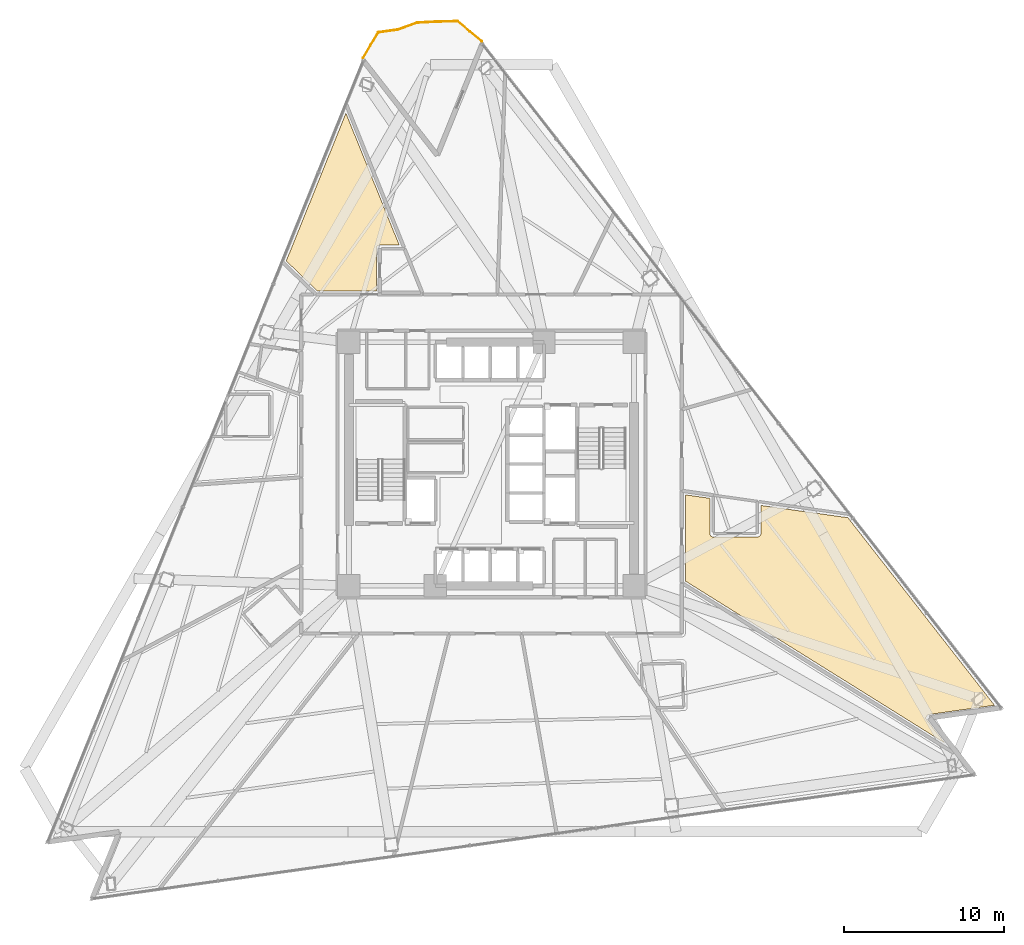
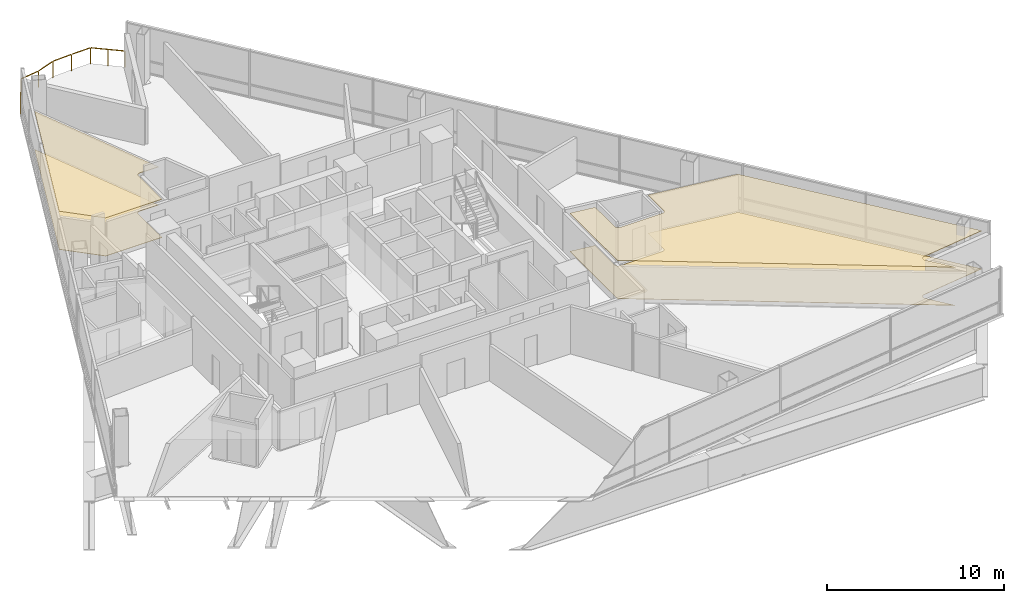
# One storey, part 15 of 15: 4 coverings, 1 railing.
"""IFC4 building model written with IfcOpenShell, lengths in metres."""

from ifc_helpers import new_model, si_unit, direction, frame, origin, origin_2d, place, context, subcontext, project, spatial, polyline, rectangle, outline, extrude, material, layer, layer_set, type_object, element, save


model = new_model("IFC4")

# Units and contexts
model_context = context("Model", 3, precision=1e-05, world=origin(), true_north=direction((0.0, 1.0)))
body_context = subcontext(model_context, "Body", "Model", "MODEL_VIEW")
ifc_project = project(units=[si_unit("LENGTHUNIT", "METRE"), si_unit("AREAUNIT", "SQUARE_METRE"), si_unit("VOLUMEUNIT", "CUBIC_METRE"), si_unit("PLANEANGLEUNIT", "RADIAN"), si_unit("MASSUNIT", "GRAM", prefix="KILO")], contexts=[model_context])

# Site, building, storey
site_placement = place(None, origin())
site = spatial("IfcSite", under=ifc_project, at=site_placement, CompositionType="ELEMENT")
building_placement = place(site_placement, origin())
building = spatial("IfcBuilding", under=site, at=building_placement, Name="Tharavind Bronze Gate", CompositionType="ELEMENT")
storey_placement = place(building_placement, frame((0.0, 0.0, 57.0)))
storey = spatial("IfcBuildingStorey", under=building, at=storey_placement, Name="L13", CompositionType="ELEMENT", Elevation=57.0)

# Coverings
ifc_material_1 = material(Name="Engineered Oak & Carpet Tile", Category="wood")
ifc_layer_1 = layer(ifc_material_1, 0.02490234375)
ifc_layer_set_1 = layer_set([ifc_layer_1], Name="Engineered Oak & Carpet Tile")
covering_type_1 = type_object("IfcCoveringType", Name="ENGINEERED TIMBER FLOORING", PredefinedType="FLOORING", material=ifc_layer_set_1)
covering_1_placement = place(storey_placement, origin())
element("IfcCovering", 1, at=covering_1_placement, inside=storey, type_object=covering_type_1, Name="L13-RM-05 floor finish", PredefinedType="FLOORING", context=body_context, shape_type="SweptSolid", body=[
    extrude(outline(polyline([(-10.866943359375, 10.800048828125), (-7.193115234375, 10.800048828125), (-7.193115234375, 13.449951171875), (-7.19189453125, 13.4716796875), (-7.18896484375, 13.492919921875), (-7.18359375, 13.513916015625), (-7.17626953125, 13.5341796875), (-7.1669921875, 13.5537109375), (-7.156005859375, 13.572265625), (-7.14306640625, 13.589599609375), (-7.128662109375, 13.605712890625), (-7.112548828125, 13.6201171875), (-7.09521484375, 13.6328125), (-7.076904296875, 13.64404296875), (-7.057373046875, 13.6533203125), (-7.036865234375, 13.660400390625), (-7.01611328125, 13.665771484375), (-6.99462890625, 13.6689453125), (-6.97314453125, 13.669921875), (-5.76025390625, 13.669921875), (-9.087646484375, 21.905517578125), (-12.814697265625, 12.680908203125), (-10.866943359375, 10.800048828125)])), origin(), (0.0, 0.0, 1.0), 0.02490234375),
])
covering_2_placement = place(storey_placement, origin())
element("IfcCovering", 2, at=covering_2_placement, inside=storey, type_object=covering_type_1, Name="L13-RM-14 floor finish", PredefinedType="FLOORING", context=body_context, shape_type="SweptSolid", body=[
    extrude(outline(polyline([(12.10009765625, -7.301513671875), (28.311279296875, -17.431396484375), (27.184326171875, -15.989013671875), (27.177734375, -15.980224609375), (27.177490234375, -15.979736328125), (27.165771484375, -15.961181640625), (27.156005859375, -15.941650390625), (27.148193359375, -15.921142578125), (27.142333984375, -15.89990234375), (27.138916015625, -15.87841796875), (27.137451171875, -15.8564453125), (27.13818359375, -15.83447265625), (27.14111328125, -15.812744140625), (27.146240234375, -15.79150390625), (27.1533203125, -15.770751953125), (27.16259765625, -15.750732421875), (27.173583984375, -15.73193359375), (27.186767578125, -15.714111328125), (27.201416015625, -15.697998046875), (27.217529296875, -15.68310546875), (27.235107421875, -15.670166015625), (27.254150390625, -15.658935546875), (27.27392578125, -15.649658203125), (27.294677734375, -15.642333984375), (27.31591796875, -15.63720703125), (27.31640625, -15.636962890625), (27.327392578125, -15.63525390625), (31.405517578125, -15.06201171875), (22.255126953125, -3.349853515625), (16.820068359375, -2.586181640625), (16.820068359375, -4.33642578125), (16.81884765625, -4.358154296875), (16.81591796875, -4.37939453125), (16.810546875, -4.400390625), (16.80322265625, -4.420654296875), (16.7939453125, -4.440185546875), (16.782958984375, -4.458740234375), (16.77001953125, -4.47607421875), (16.755615234375, -4.4921875), (16.739501953125, -4.506591796875), (16.72216796875, -4.519287109375), (16.70361328125, -4.530517578125), (16.68408203125, -4.539794921875), (16.663818359375, -4.547119140625), (16.642822265625, -4.55224609375), (16.62158203125, -4.555419921875), (16.60009765625, -4.556396484375), (13.85009765625, -4.556396484375), (13.828369140625, -4.555419921875), (13.80712890625, -4.55224609375), (13.7861328125, -4.547119140625), (13.765869140625, -4.539794921875), (13.746337890625, -4.530517578125), (13.727783203125, -4.519287109375), (13.71044921875, -4.506591796875), (13.6943359375, -4.4921875), (13.679931640625, -4.47607421875), (13.6669921875, -4.458740234375), (13.656005859375, -4.440185546875), (13.646728515625, -4.420654296875), (13.639404296875, -4.400390625), (13.63427734375, -4.37939453125), (13.631103515625, -4.358154296875), (13.6298828125, -4.33642578125), (13.6298828125, -2.1376953125), (12.10009765625, -1.922607421875), (12.10009765625, -7.301513671875)])), origin(), (0.0, 0.0, 1.0), 0.02490234375),
])
ifc_material_2 = material(Name="Acoustic Gypsum Board", Category="gypsum")
ifc_layer_2 = layer(ifc_material_2, 0.030029296875)
ifc_layer_set_2 = layer_set([ifc_layer_2], Name="Acoustic Gypsum Board")
covering_type_2 = type_object("IfcCoveringType", Name="GYPSUM SUSPENDED CEILING", PredefinedType="CEILING", material=ifc_layer_set_2)
covering_3_placement = place(storey_placement, frame((0.0, 0.0, 2.625)))
element("IfcCovering", 3, at=covering_3_placement, inside=storey, type_object=covering_type_2, Name="L13-RM-05 suspended ceiling", PredefinedType="CEILING", context=body_context, shape_type="SweptSolid", body=[
    extrude(outline(polyline([(-10.866943359375, 10.800048828125), (-7.193115234375, 10.800048828125), (-7.193115234375, 13.449951171875), (-7.19189453125, 13.4716796875), (-7.18896484375, 13.492919921875), (-7.18359375, 13.513916015625), (-7.17626953125, 13.5341796875), (-7.1669921875, 13.5537109375), (-7.156005859375, 13.572265625), (-7.14306640625, 13.589599609375), (-7.128662109375, 13.605712890625), (-7.112548828125, 13.6201171875), (-7.09521484375, 13.6328125), (-7.076904296875, 13.64404296875), (-7.057373046875, 13.6533203125), (-7.036865234375, 13.660400390625), (-7.01611328125, 13.665771484375), (-6.99462890625, 13.6689453125), (-6.97314453125, 13.669921875), (-5.76025390625, 13.669921875), (-9.087646484375, 21.905517578125), (-12.814697265625, 12.680908203125), (-10.866943359375, 10.800048828125)])), origin(), (0.0, 0.0, 1.0), 0.034912109375),
])
covering_4_placement = place(storey_placement, frame((0.0, 0.0, 2.625)))
element("IfcCovering", 4, at=covering_4_placement, inside=storey, type_object=covering_type_2, Name="L13-RM-14 suspended ceiling", PredefinedType="CEILING", context=body_context, shape_type="SweptSolid", body=[
    extrude(outline(polyline([(12.10009765625, -7.301513671875), (28.311279296875, -17.431396484375), (27.184326171875, -15.989013671875), (27.177734375, -15.980224609375), (27.177490234375, -15.979736328125), (27.165771484375, -15.961181640625), (27.156005859375, -15.941650390625), (27.148193359375, -15.921142578125), (27.142333984375, -15.89990234375), (27.138916015625, -15.87841796875), (27.137451171875, -15.8564453125), (27.13818359375, -15.83447265625), (27.14111328125, -15.812744140625), (27.146240234375, -15.79150390625), (27.1533203125, -15.770751953125), (27.16259765625, -15.750732421875), (27.173583984375, -15.73193359375), (27.186767578125, -15.714111328125), (27.201416015625, -15.697998046875), (27.217529296875, -15.68310546875), (27.235107421875, -15.670166015625), (27.254150390625, -15.658935546875), (27.27392578125, -15.649658203125), (27.294677734375, -15.642333984375), (27.31591796875, -15.63720703125), (27.31640625, -15.636962890625), (27.327392578125, -15.63525390625), (31.405517578125, -15.06201171875), (22.255126953125, -3.349853515625), (16.820068359375, -2.586181640625), (16.820068359375, -4.33642578125), (16.81884765625, -4.358154296875), (16.81591796875, -4.37939453125), (16.810546875, -4.400390625), (16.80322265625, -4.420654296875), (16.7939453125, -4.440185546875), (16.782958984375, -4.458740234375), (16.77001953125, -4.47607421875), (16.755615234375, -4.4921875), (16.739501953125, -4.506591796875), (16.72216796875, -4.519287109375), (16.70361328125, -4.530517578125), (16.68408203125, -4.539794921875), (16.663818359375, -4.547119140625), (16.642822265625, -4.55224609375), (16.62158203125, -4.555419921875), (16.60009765625, -4.556396484375), (13.85009765625, -4.556396484375), (13.828369140625, -4.555419921875), (13.80712890625, -4.55224609375), (13.7861328125, -4.547119140625), (13.765869140625, -4.539794921875), (13.746337890625, -4.530517578125), (13.727783203125, -4.519287109375), (13.71044921875, -4.506591796875), (13.6943359375, -4.4921875), (13.679931640625, -4.47607421875), (13.6669921875, -4.458740234375), (13.656005859375, -4.440185546875), (13.646728515625, -4.420654296875), (13.639404296875, -4.400390625), (13.63427734375, -4.37939453125), (13.631103515625, -4.358154296875), (13.6298828125, -4.33642578125), (13.6298828125, -2.1376953125), (12.10009765625, -1.922607421875), (12.10009765625, -7.301513671875)])), origin(), (0.0, 0.0, 1.0), 0.034912109375),
])

# Railing
ifc_material_3 = material(Name="Bronze Cap & Laminated Glass", Category="glass")
railing_type = type_object("IfcRailingType", Name="TERRACE GLASS GUARD RAILING 1150", PredefinedType="GUARDRAIL", material=ifc_material_3)
railing_placement = place(storey_placement, frame((-8.02294921875, 25.341552734375, 0.0)))
element("IfcRailing", 5, at=railing_placement, inside=storey, type_object=railing_type, Name="L13 tree balcony guard railing", PredefinedType="GUARDRAIL", context=body_context, shape_type="SweptSolid", body=[
    extrude(rectangle(XDim=0.048095703125, YDim=0.048095703125, at=origin_2d()), frame((0.01611328125, 0.027587890625, 1.1259765625), z_axis=(0.5072203259, 0.861816419543, 0.0), x_axis=(-0.861816419543, 0.5072203259, 0.0)), (0.0, 0.0, 1.0), 1.80126953125),
    extrude(rectangle(XDim=0.048095703125, YDim=0.048095703125, at=origin_2d()), frame((0.977783203125, 1.61181640625, 1.1259765625), z_axis=(0.99028265427, 0.139069280047, 0.0), x_axis=(-0.139069280047, 0.99028265427, 0.0)), (0.0, 0.0, 1.0), 1.18603515625),
    extrude(rectangle(XDim=0.048095703125, YDim=0.048095703125, at=origin_2d()), frame((2.2138671875, 1.7919921875, 1.1259765625), z_axis=(0.941126052549, 0.338055843337, 0.0), x_axis=(-0.338055843337, 0.941126052549, 0.0)), (0.0, 0.0, 1.0), 1.212890625),
    extrude(rectangle(XDim=0.048095703125, YDim=0.048095703125, at=origin_2d()), frame((3.41748046875, 2.214599609375, 1.1259765625), z_axis=(0.998749426413, 0.049995832214, 0.0), x_axis=(-0.049995832214, 0.998749426413, 0.0)), (0.0, 0.0, 1.0), 1.19091796875),
    extrude(rectangle(XDim=0.048095703125, YDim=0.048095703125, at=origin_2d()), frame((4.6708984375, 2.2763671875, 1.1259765625), z_axis=(0.999759833143, 0.021915200998, 0.0), x_axis=(-0.021915200998, 0.999759833143, 0.0)), (0.0, 0.0, 1.0), 1.19482421875),
    extrude(rectangle(XDim=0.048095703125, YDim=0.048095703125, at=origin_2d()), frame((5.922119140625, 2.282958984375, 1.1259765625), z_axis=(0.772015598117, -0.635603584212, 0.0), x_axis=(0.635603584212, 0.772015598117, 0.0)), (0.0, 0.0, 1.0), 1.917236328125),
    extrude(rectangle(XDim=0.0400390625, YDim=0.0400390625, at=origin_2d()), origin(), (0.0, 0.0, 1.0), 1.097900390625),
    extrude(rectangle(XDim=0.0400390625, YDim=0.0400390625, at=origin_2d()), frame((0.47314453125, 0.8037109375, 0.0)), (0.0, 0.0, 1.0), 1.097900390625),
    extrude(rectangle(XDim=0.0400390625, YDim=0.0400390625, at=origin_2d()), frame((0.946044921875, 1.607421875, 0.0)), (0.0, 0.0, 1.0), 1.097900390625),
    extrude(rectangle(XDim=0.0400390625, YDim=0.0400390625, at=origin_2d()), frame((2.183837890625, 1.78125, 0.0)), (0.0, 0.0, 1.0), 1.097900390625),
    extrude(rectangle(XDim=0.0400390625, YDim=0.0400390625, at=origin_2d()), frame((3.385498046875, 2.212890625, 0.0)), (0.0, 0.0, 1.0), 1.097900390625),
    extrude(rectangle(XDim=0.0400390625, YDim=0.0400390625, at=origin_2d()), frame((4.638916015625, 2.275634765625, 0.0)), (0.0, 0.0, 1.0), 1.097900390625),
    extrude(rectangle(XDim=0.0400390625, YDim=0.0400390625, at=origin_2d()), frame((5.8974609375, 2.30322265625, 0.0)), (0.0, 0.0, 1.0), 1.097900390625),
    extrude(rectangle(XDim=0.0400390625, YDim=0.0400390625, at=origin_2d()), frame((6.662109375, 1.673583984375, 0.0)), (0.0, 0.0, 1.0), 1.097900390625),
    extrude(rectangle(XDim=0.0400390625, YDim=0.0400390625, at=origin_2d()), frame((7.427001953125, 1.0439453125, 0.0)), (0.0, 0.0, 1.0), 1.097900390625),
])

save(model, "model.ifc")
